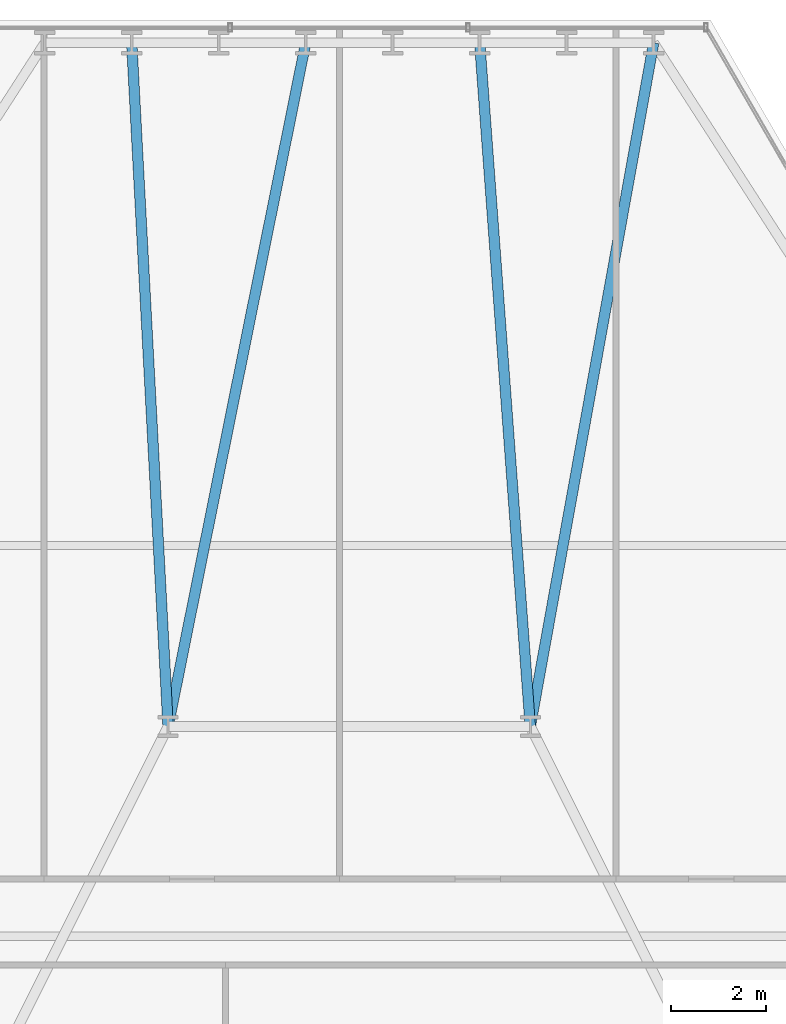
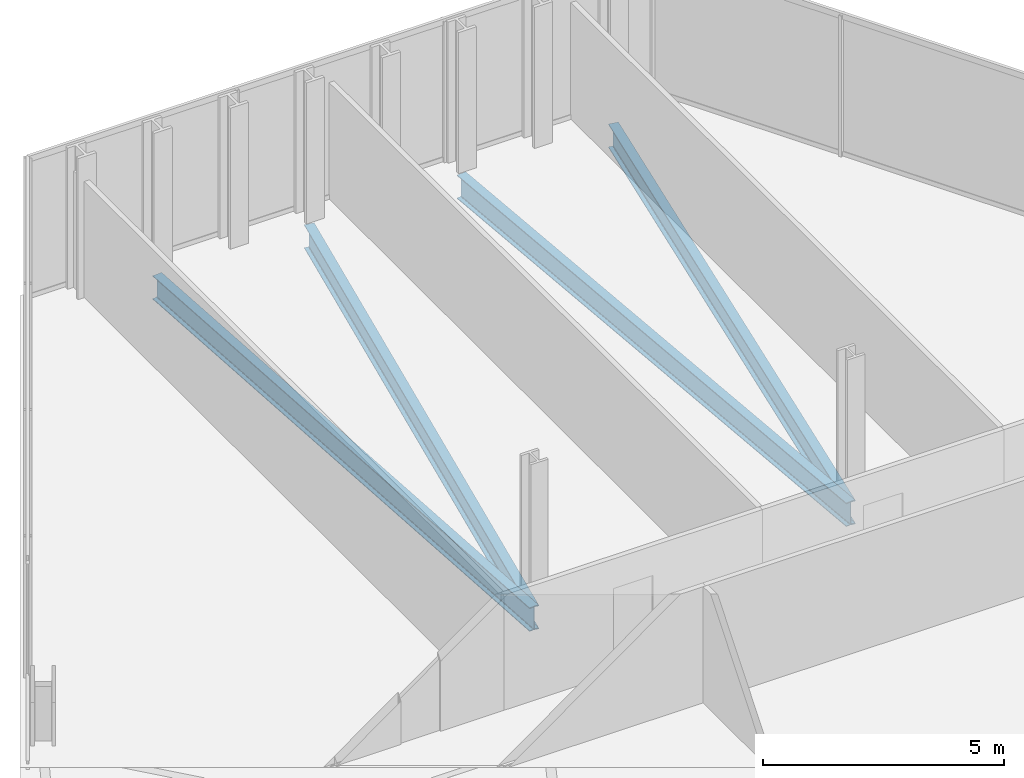
# One storey, part 23 of 32: 4 beams.
"""IFC4 building model written with IfcOpenShell, lengths in metres."""

from ifc_helpers import new_model, si_unit, direction, frame, origin, origin_2d, place, context, subcontext, project, spatial, i_section, extrude, material, material_profile, profile_set, type_object, element, save


model = new_model("IFC4")

# Units and contexts
model_context = context("Model", 3, precision=1e-05, world=origin(), true_north=direction((0.0, 1.0)))
body_context = subcontext(model_context, "Body", "Model", "MODEL_VIEW")
ifc_project = project(units=[si_unit("LENGTHUNIT", "METRE"), si_unit("AREAUNIT", "SQUARE_METRE"), si_unit("VOLUMEUNIT", "CUBIC_METRE"), si_unit("PLANEANGLEUNIT", "RADIAN"), si_unit("MASSUNIT", "GRAM", prefix="KILO")], contexts=[model_context])

# Site, building, storey
site_placement = place(None, origin())
site = spatial("IfcSite", under=ifc_project, at=site_placement, CompositionType="ELEMENT")
building_placement = place(site_placement, origin())
building = spatial("IfcBuilding", under=site, at=building_placement, Name="Ndaravel Arena Tower", CompositionType="ELEMENT")
storey_placement = place(building_placement, frame((0.0, 0.0, 74.0)))
storey = spatial("IfcBuildingStorey", under=building, at=storey_placement, Name="L16", CompositionType="ELEMENT", Elevation=74.0)

# Beams
ifc_material = material(Name="Steel S355", Category="steel")
ifc_material_profile = material_profile(ifc_material, i_section(OverallWidth=0.219970703125, OverallDepth=0.60009765625, WebThickness=0.011962890625, FlangeThickness=0.01904296875, FilletRadius=0.02392578125, at=origin_2d()), Name="IPE 600")
ifc_profile_set = profile_set([ifc_material_profile], Name="Steel S355")
beam_type = type_object("IfcBeamType", Name="BM-GIRD-IPE600", PredefinedType="BEAM", material=ifc_profile_set)
beam_1_placement = place(storey_placement, frame((48.38916015625, 45.545654296875, -0.52001953125), z_axis=(-0.177610445305, -0.984100873752, 0.0), x_axis=(0.984100873752, -0.177610445305, 0.0)))
element("IfcBeam", 1, at=beam_1_placement, inside=storey, type_object=beam_type, Name="L16 Radial Floor Girder FG-11", PredefinedType="BEAM", context=body_context, shape_type="SweptSolid", body=[
    extrude(i_section(OverallWidth=0.219970703125, OverallDepth=0.60009765625, WebThickness=0.011962890625, FlangeThickness=0.01904296875, FilletRadius=0.02392578125, at=origin_2d()), origin(), (0.0, 0.0, 1.0), 14.577392578125),
])
beam_2_placement = place(storey_placement, frame((44.73828125, 45.545654296875, -0.52001953125), z_axis=(0.073811044782, -0.997272244509, 0.0), x_axis=(0.997272244509, 0.073811044782, 0.0)))
element("IfcBeam", 2, at=beam_2_placement, inside=storey, type_object=beam_type, Name="L16 Radial Floor Girder FG-13", PredefinedType="BEAM", context=body_context, shape_type="SweptSolid", body=[
    extrude(i_section(OverallWidth=0.219970703125, OverallDepth=0.60009765625, WebThickness=0.011962890625, FlangeThickness=0.01904296875, FilletRadius=0.02392578125, at=origin_2d()), origin(), (0.0, 0.0, 1.0), 14.385009765625),
])
beam_3_placement = place(storey_placement, frame((41.08740234375, 45.545654296875, -0.52001953125), z_axis=(-0.197319145207, -0.980339306024, 0.0), x_axis=(0.980339306024, -0.197319145207, 0.0)))
element("IfcBeam", 3, at=beam_3_placement, inside=storey, type_object=beam_type, Name="L16 Radial Floor Girder FG-15", PredefinedType="BEAM", context=body_context, shape_type="SweptSolid", body=[
    extrude(i_section(OverallWidth=0.219970703125, OverallDepth=0.60009765625, WebThickness=0.011962890625, FlangeThickness=0.01904296875, FilletRadius=0.02392578125, at=origin_2d()), origin(), (0.0, 0.0, 1.0), 14.63330078125),
])
beam_4_placement = place(storey_placement, frame((37.436279296875, 45.545654296875, -0.52001953125), z_axis=(0.053158225442, -0.99858610198, 0.0), x_axis=(0.99858610198, 0.053158225442, 0.0)))
element("IfcBeam", 4, at=beam_4_placement, inside=storey, type_object=beam_type, Name="L16 Radial Floor Girder FG-17", PredefinedType="BEAM", context=body_context, shape_type="SweptSolid", body=[
    extrude(i_section(OverallWidth=0.219970703125, OverallDepth=0.60009765625, WebThickness=0.011962890625, FlangeThickness=0.01904296875, FilletRadius=0.02392578125, at=origin_2d()), origin(), (0.0, 0.0, 1.0), 14.365966796875),
])

save(model, "model.ifc")
